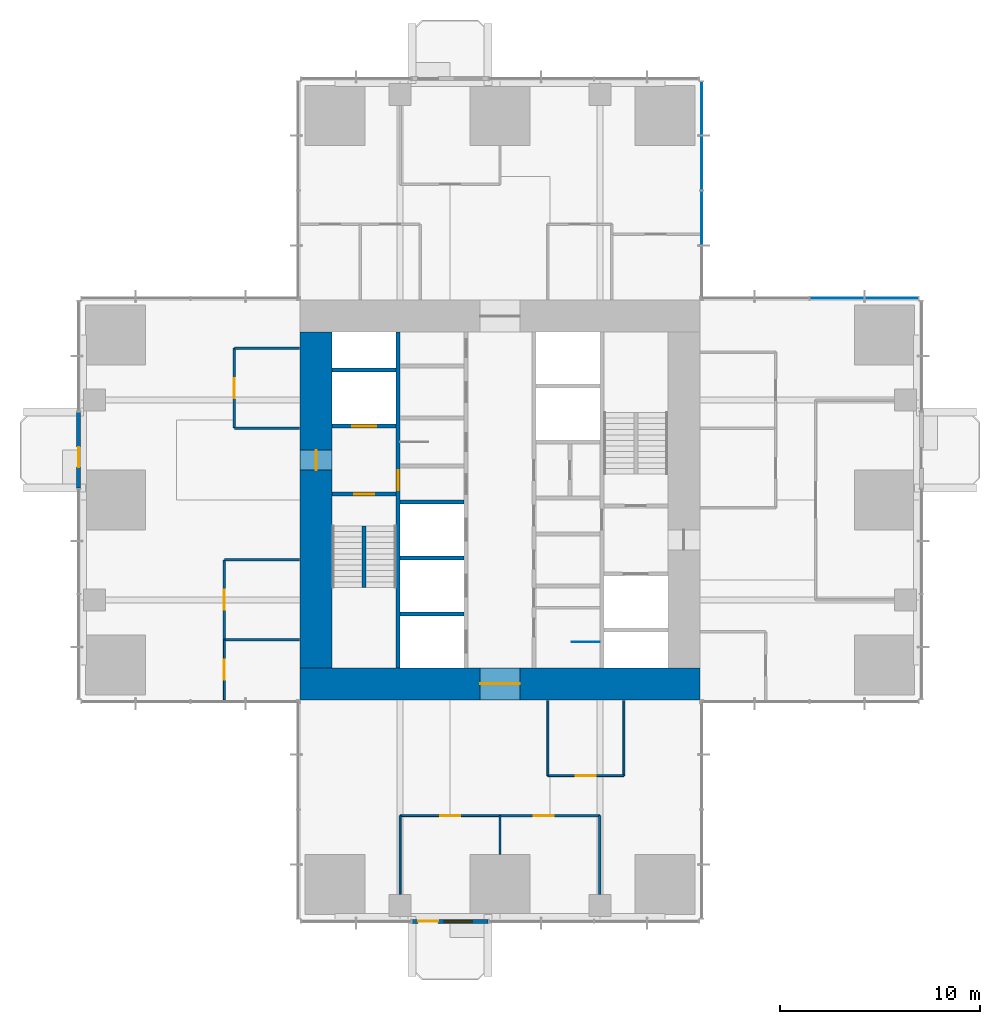
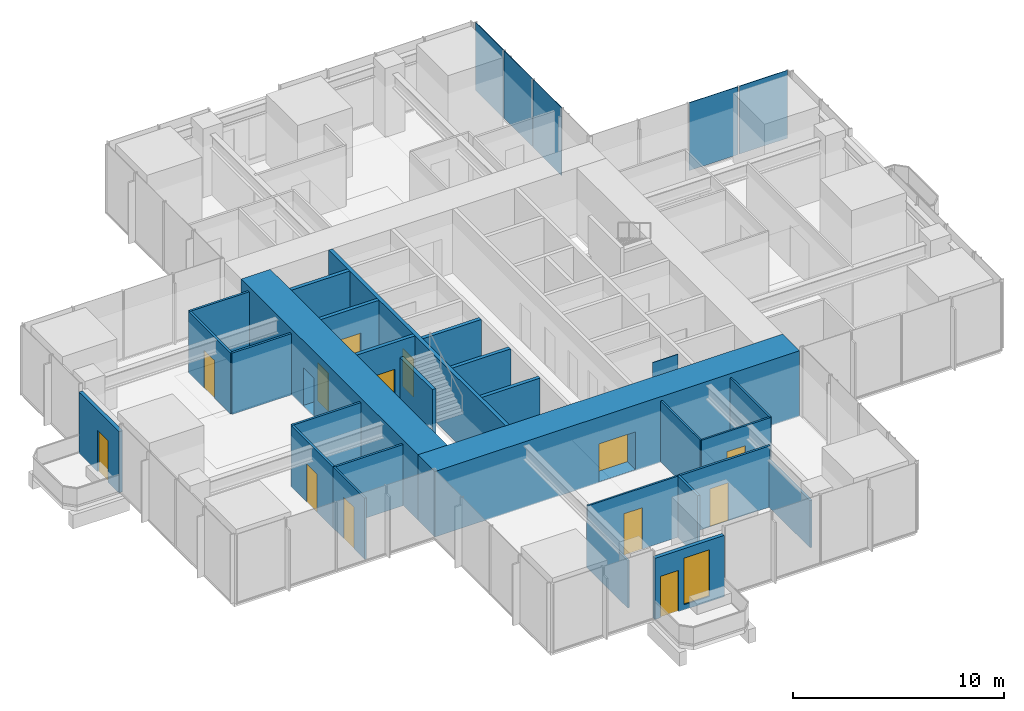
# One storey, part 8 of 13: 28 walls, 13 doors, 5 plates, 1 window, 14 openings, 2 elements without a shape of their own.
"""IFC4 building model written with IfcOpenShell, lengths in metres."""

from ifc_helpers import new_model, si_unit, direction, frame, frame_2d, origin, origin_2d, place, context, subcontext, project, spatial, rectangle, extrude, material, layer, layer_set, type_object, element, fill, aggregate, save


model = new_model("IFC4")

# Units and contexts
model_context = context("Model", 3, precision=1e-05, world=origin(), true_north=direction((0.0, 1.0)))
body_context = subcontext(model_context, "Body", "Model", "MODEL_VIEW")
ifc_project = project(units=[si_unit("LENGTHUNIT", "METRE"), si_unit("AREAUNIT", "SQUARE_METRE"), si_unit("VOLUMEUNIT", "CUBIC_METRE"), si_unit("PLANEANGLEUNIT", "RADIAN"), si_unit("MASSUNIT", "GRAM", prefix="KILO")], contexts=[model_context])

# Site, building, storey
site_placement = place(None, origin())
site = spatial("IfcSite", under=ifc_project, at=site_placement, CompositionType="ELEMENT")
building_placement = place(site_placement, origin())
building = spatial("IfcBuilding", under=site, at=building_placement, Name="Svetlomir Tower", CompositionType="ELEMENT")
storey_placement = place(building_placement, frame((0.0, 0.0, 156.5)))
storey = spatial("IfcBuildingStorey", under=building, at=storey_placement, Name="L37", CompositionType="ELEMENT", Elevation=156.5)

# Curtain wall, plates
ifc_material_1 = material(Name="Bronze anodised aluminium curtain wall", Category="aluminium")
curtain_wall_type = type_object("IfcCurtainWallType", Name="CURTAIN WALL CW1 TOWER OFFICE", PredefinedType="NOTDEFINED", material=ifc_material_1)
curtain_wall_1_placement = place(storey_placement, origin())
curtain_wall_1 = element("IfcCurtainWall", 1, at=curtain_wall_1_placement, inside=storey, type_object=curtain_wall_type, Name="Curtain wall CW1 L37", PredefinedType="NOTDEFINED")
ifc_material_2 = material(Name="Tinted double glazed unit", Category="glass")
ifc_layer_1 = layer(ifc_material_2, 0.031982421875)
ifc_layer_set_1 = layer_set([ifc_layer_1], Name="Tinted double glazed unit")
plate_type = type_object("IfcPlateType", Name="CW1 GLAZED PANEL 32", PredefinedType="CURTAIN_PANEL", material=ifc_layer_set_1)
plate_1_placement = place(storey_placement, frame((40.608642578125, 31.10009765625, 0.06494140625), z_axis=(0.0, 0.0, 1.0), x_axis=(-1.0, 0.0, 0.0)))
plate_1 = element("IfcPlate", 2, at=plate_1_placement, type_object=plate_type, Name="CW1 panel 1.1", PredefinedType="CURTAIN_PANEL", context=body_context, shape_type="SweptSolid", body=[
    extrude(rectangle(XDim=2.652587890625, YDim=0.031982421875, at=origin_2d()), origin(), (0.0, 0.0, 1.0), 3.93505859375),
])
plate_2_placement = place(storey_placement, frame((37.875, 31.10009765625, 0.06494140625), z_axis=(0.0, 0.0, 1.0), x_axis=(-1.0, 0.0, 0.0)))
plate_2 = element("IfcPlate", 3, at=plate_2_placement, type_object=plate_type, Name="CW1 panel 2.1", PredefinedType="CURTAIN_PANEL", context=body_context, shape_type="SweptSolid", body=[
    extrude(rectangle(XDim=2.68505859375, YDim=0.031982421875, at=origin_2d()), origin(), (0.0, 0.0, 1.0), 3.93505859375),
])
aggregate(curtain_wall_1, [plate_1, plate_2])

curtain_wall_2_placement = place(storey_placement, origin())
curtain_wall_2 = element("IfcCurtainWall", 4, at=curtain_wall_2_placement, inside=storey, type_object=curtain_wall_type, Name="Curtain wall CW1 L37", PredefinedType="NOTDEFINED")
plate_3_placement = place(storey_placement, frame((31.10009765625, 35.125, 0.06494140625), z_axis=(0.0, 0.0, 1.0), x_axis=(0.0, 1.0, 0.0)))
plate_3 = element("IfcPlate", 5, at=plate_3_placement, type_object=plate_type, Name="CW1 panel 2.1", PredefinedType="CURTAIN_PANEL", context=body_context, shape_type="SweptSolid", body=[
    extrude(rectangle(XDim=2.68505859375, YDim=0.031982421875, at=origin_2d()), origin(), (0.0, 0.0, 1.0), 3.93505859375),
])
plate_4_placement = place(storey_placement, frame((31.10009765625, 37.875, 0.06494140625), z_axis=(0.0, 0.0, 1.0), x_axis=(0.0, 1.0, 0.0)))
plate_4 = element("IfcPlate", 6, at=plate_4_placement, type_object=plate_type, Name="CW1 panel 3.1", PredefinedType="CURTAIN_PANEL", context=body_context, shape_type="SweptSolid", body=[
    extrude(rectangle(XDim=2.68505859375, YDim=0.031982421875, at=origin_2d()), origin(), (0.0, 0.0, 1.0), 3.93505859375),
])
plate_5_placement = place(storey_placement, frame((31.10009765625, 40.608642578125, 0.06494140625), z_axis=(0.0, 0.0, 1.0), x_axis=(0.0, 1.0, 0.0)))
plate_5 = element("IfcPlate", 7, at=plate_5_placement, type_object=plate_type, Name="CW1 panel 4.1", PredefinedType="CURTAIN_PANEL", context=body_context, shape_type="SweptSolid", body=[
    extrude(rectangle(XDim=2.652587890625, YDim=0.031982421875, at=origin_2d()), origin(), (0.0, 0.0, 1.0), 3.93505859375),
])
aggregate(curtain_wall_2, [plate_3, plate_4, plate_5])

# Wall, openings, door, window
ifc_material_3 = material(Name="Bronze anodised aluminium glazed screen", Category="aluminium")
ifc_layer_2 = layer(ifc_material_3, 0.199951171875)
ifc_layer_set_2 = layer_set([ifc_layer_2], Name="Bronze anodised aluminium glazed screen")
wall_type_1 = type_object("IfcWallType", Name="BALCONY SCREEN WALL 200", PredefinedType="USERDEFINED", material=ifc_layer_set_2)
wall_1_placement = place(storey_placement, frame((16.60009765625, -0.10009765625, 0.0), z_axis=(0.0, 0.0, 1.0), x_axis=(1.0, 0.0, 0.0)))
wall_1 = element("IfcWall", 8, at=wall_1_placement, inside=storey, type_object=wall_type_1, Name="Balcony screen S", ObjectType="GLAZED SCREEN", PredefinedType="USERDEFINED", context=body_context, shape_type="SweptSolid", body=[
    extrude(rectangle(XDim=3.7998046875, YDim=0.199951171875, at=frame_2d((1.89990234375, 0.0))), origin(), (0.0, 0.0, 1.0), 3.550048828125),
])
opening_1_placement = place(wall_1_placement, frame((0.300048828125, 0.0, 0.0)))
opening_1 = element("IfcOpeningElement", 9, at=opening_1_placement, cuts=wall_1, Name="Opening BD", PredefinedType="OPENING", context=body_context, shape_type="SweptSolid", body=[
    extrude(rectangle(XDim=1.0, YDim=2.39990234375, at=frame_2d((0.5, 1.199951171875))), frame((0.0, 0.10986328125, 0.0), z_axis=(0.0, -1.0, 0.0), x_axis=(1.0, 0.0, 0.0)), (0.0, 0.0, 1.0), 0.219970703125),
])
opening_2_placement = place(wall_1_placement, frame((1.60009765625, 0.0, 0.300048828125)))
opening_2 = element("IfcOpeningElement", 10, at=opening_2_placement, cuts=wall_1, Name="Opening WS2", PredefinedType="OPENING", context=body_context, shape_type="SweptSolid", body=[
    extrude(rectangle(XDim=1.39990234375, YDim=2.699951171875, at=frame_2d((0.699951171875, 1.35009765625))), frame((0.0, 0.10986328125, 0.0), z_axis=(0.0, -1.0, 0.0), x_axis=(1.0, 0.0, 0.0)), (0.0, 0.0, 1.0), 0.219970703125),
])
ifc_material_4 = material(Name="Bronze anodised aluminium glazed door", Category="aluminium")
door_type_1 = type_object("IfcDoorType", Name="BALCONY DOOR BD 1000x2400", OperationType="SINGLE_SWING_LEFT", PredefinedType="DOOR", material=ifc_material_4)
door_1_placement = place(opening_1_placement, origin())
door_1 = element("IfcDoor", 11, at=door_1_placement, inside=storey, type_object=door_type_1, Name="Balcony screen S door", OperationType="SINGLE_SWING_LEFT", OverallHeight=2.39990234375, OverallWidth=1.0, PredefinedType="DOOR", context=body_context, shape_type="SweptSolid", body=[
    extrude(rectangle(XDim=1.0, YDim=2.39990234375, at=frame_2d((0.5, 1.199951171875))), frame((0.0, 0.02490234375, 0.0), z_axis=(0.0, -1.0, 0.0), x_axis=(1.0, 0.0, 0.0)), (0.0, 0.0, 1.0), 0.050048828125),
])
fill(opening_1, door_1)
ifc_material_5 = material(Name="Bronze anodised aluminium window", Category="aluminium")
window_type = type_object("IfcWindowType", Name="SCREEN WINDOW WS2 1400x2700", PartitioningType="SINGLE_PANEL", PredefinedType="WINDOW", material=ifc_material_5)
window_placement = place(opening_2_placement, origin())
window = element("IfcWindow", 12, at=window_placement, inside=storey, type_object=window_type, Name="Balcony screen S window 1", OverallHeight=2.699951171875, OverallWidth=1.39990234375, PartitioningType="SINGLE_PANEL", PredefinedType="WINDOW", context=body_context, shape_type="SweptSolid", body=[
    extrude(rectangle(XDim=1.39990234375, YDim=2.699951171875, at=frame_2d((0.699951171875, 1.35009765625))), frame((0.0, 0.030029296875, 0.0), z_axis=(0.0, -1.0, 0.0), x_axis=(1.0, 0.0, 0.0)), (0.0, 0.0, 1.0), 0.06005859375),
])
fill(opening_2, window)

# Wall, opening, door
wall_2_placement = place(storey_placement, frame((-0.10009765625, 25.39990234375, 0.0), z_axis=(0.0, 0.0, 1.0), x_axis=(0.0, -1.0, 0.0)))
wall_2 = element("IfcWall", 13, at=wall_2_placement, inside=storey, type_object=wall_type_1, Name="Balcony screen W", ObjectType="GLAZED SCREEN", PredefinedType="USERDEFINED", context=body_context, shape_type="SweptSolid", body=[
    extrude(rectangle(XDim=3.7998046875, YDim=0.199951171875, at=frame_2d((1.89990234375, 0.0))), origin(), (0.0, 0.0, 1.0), 3.550048828125),
])
opening_3_placement = place(wall_2_placement, frame((1.75, 0.0, 0.0)))
opening_3 = element("IfcOpeningElement", 14, at=opening_3_placement, cuts=wall_2, Name="Opening BD", PredefinedType="OPENING", context=body_context, shape_type="SweptSolid", body=[
    extrude(rectangle(XDim=1.0, YDim=2.39990234375, at=frame_2d((0.5, 1.199951171875))), frame((0.0, 0.10986328125, 0.0), z_axis=(0.0, -1.0, 0.0), x_axis=(1.0, 0.0, 0.0)), (0.0, 0.0, 1.0), 0.219970703125),
])
door_2_placement = place(opening_3_placement, origin())
door_2 = element("IfcDoor", 15, at=door_2_placement, inside=storey, type_object=door_type_1, Name="Balcony screen W door", OperationType="SINGLE_SWING_LEFT", OverallHeight=2.39990234375, OverallWidth=1.0, PredefinedType="DOOR", context=body_context, shape_type="SweptSolid", body=[
    extrude(rectangle(XDim=1.0, YDim=2.39990234375, at=frame_2d((0.5, 1.199951171875))), frame((0.0, 0.02490234375, 0.0), z_axis=(0.0, -1.0, 0.0), x_axis=(1.0, 0.0, 0.0)), (0.0, 0.0, 1.0), 0.050048828125),
])
fill(opening_3, door_2)

ifc_material_6 = material(Name="Concrete C60/75", Category="concrete")
ifc_layer_3 = layer(ifc_material_6, 0.199951171875)
ifc_layer_set_3 = layer_set([ifc_layer_3], Name="Concrete C60/75")
wall_type_2 = type_object("IfcWallType", Name="CORE INNER WALL 200", PredefinedType="SHEAR", material=ifc_layer_set_3)
wall_3_placement = place(storey_placement, frame((15.89990234375, 12.60009765625, -0.050048828125), z_axis=(0.0, 0.0, 1.0), x_axis=(0.0, 1.0, 0.0)))
wall_3 = element("IfcWall", 16, at=wall_3_placement, inside=storey, type_object=wall_type_2, Name="Core inner wall 15.9 L37", PredefinedType="SHEAR", context=body_context, shape_type="SweptSolid", body=[
    extrude(rectangle(XDim=16.7998046875, YDim=0.199951171875, at=frame_2d((8.39990234375, 0.0))), origin(), (0.0, 0.0, 1.0), 3.800048828125),
])
opening_4_placement = place(wall_3_placement, frame((8.89990234375, 0.0, 0.050048828125)))
opening_4 = element("IfcOpeningElement", 17, at=opening_4_placement, cuts=wall_3, Name="Opening DF", PredefinedType="OPENING", context=body_context, shape_type="SweptSolid", body=[
    extrude(rectangle(XDim=1.0, YDim=2.199951171875, at=frame_2d((0.5, 1.10009765625))), frame((0.0, 0.10986328125, 0.0), z_axis=(0.0, -1.0, 0.0), x_axis=(1.0, 0.0, 0.0)), (0.0, 0.0, 1.0), 0.219970703125),
])
ifc_material_7 = material(Name="Steel fire door", Category="steel")
door_type_2 = type_object("IfcDoorType", Name="DOOR DF 1000x2200", OperationType="SINGLE_SWING_LEFT", PredefinedType="DOOR", material=ifc_material_7)
door_3_placement = place(opening_4_placement, origin())
door_3 = element("IfcDoor", 18, at=door_3_placement, inside=storey, type_object=door_type_2, Name="Core corridor west door L37", OperationType="SINGLE_SWING_LEFT", OverallHeight=2.199951171875, OverallWidth=1.0, PredefinedType="DOOR", context=body_context, shape_type="SweptSolid", body=[
    extrude(rectangle(XDim=1.0, YDim=2.199951171875, at=frame_2d((0.5, 1.10009765625))), frame((0.0, 0.02490234375, 0.0), z_axis=(0.0, -1.0, 0.0), x_axis=(1.0, 0.0, 0.0)), (0.0, 0.0, 1.0), 0.050048828125),
])
fill(opening_4, door_3)

wall_4_placement = place(storey_placement, frame((12.60009765625, 21.300048828125, -0.050048828125), z_axis=(0.0, 0.0, 1.0), x_axis=(1.0, 0.0, 0.0)))
wall_4 = element("IfcWall", 19, at=wall_4_placement, inside=storey, type_object=wall_type_2, Name="Core inner wall 12.6-15.8/21.3 L37", PredefinedType="SHEAR", context=body_context, shape_type="SweptSolid", body=[
    extrude(rectangle(XDim=3.199951171875, YDim=0.199951171875, at=frame_2d((1.60009765625, 0.0))), origin(), (0.0, 0.0, 1.0), 3.800048828125),
])
opening_5_placement = place(wall_4_placement, frame((1.10009765625, 0.0, 0.050048828125)))
opening_5 = element("IfcOpeningElement", 20, at=opening_5_placement, cuts=wall_4, Name="Opening DF", PredefinedType="OPENING", context=body_context, shape_type="SweptSolid", body=[
    extrude(rectangle(XDim=1.0, YDim=2.199951171875, at=frame_2d((0.5, 1.10009765625))), frame((0.0, 0.10986328125, 0.0), z_axis=(0.0, -1.0, 0.0), x_axis=(1.0, 0.0, 0.0)), (0.0, 0.0, 1.0), 0.219970703125),
])
door_4_placement = place(opening_5_placement, origin())
door_4 = element("IfcDoor", 21, at=door_4_placement, inside=storey, type_object=door_type_2, Name="Stair S1 door L37", OperationType="SINGLE_SWING_RIGHT", OverallHeight=2.199951171875, OverallWidth=1.0, PredefinedType="DOOR", context=body_context, shape_type="SweptSolid", body=[
    extrude(rectangle(XDim=1.0, YDim=2.199951171875, at=frame_2d((0.5, 1.10009765625))), frame((0.0, 0.02490234375, 0.0), z_axis=(0.0, -1.0, 0.0), x_axis=(1.0, 0.0, 0.0)), (0.0, 0.0, 1.0), 0.050048828125),
])
fill(opening_5, door_4)

wall_5_placement = place(storey_placement, frame((12.60009765625, 24.699951171875, -0.050048828125), z_axis=(0.0, 0.0, 1.0), x_axis=(1.0, 0.0, 0.0)))
wall_5 = element("IfcWall", 22, at=wall_5_placement, inside=storey, type_object=wall_type_2, Name="Core inner wall 12.6-15.8/24.7 L37", PredefinedType="SHEAR", context=body_context, shape_type="SweptSolid", body=[
    extrude(rectangle(XDim=3.199951171875, YDim=0.199951171875, at=frame_2d((1.60009765625, 0.0))), origin(), (0.0, 0.0, 1.0), 3.800048828125),
])
opening_6_placement = place(wall_5_placement, frame((1.0, 0.0, 0.050048828125)))
opening_6 = element("IfcOpeningElement", 23, at=opening_6_placement, cuts=wall_5, Name="Opening LD3", PredefinedType="OPENING", context=body_context, shape_type="SweptSolid", body=[
    extrude(rectangle(XDim=1.199951171875, YDim=2.199951171875, at=frame_2d((0.60009765625, 1.10009765625))), frame((0.0, 0.10986328125, 0.0), z_axis=(0.0, -1.0, 0.0), x_axis=(1.0, 0.0, 0.0)), (0.0, 0.0, 1.0), 0.219970703125),
])
ifc_material_8 = material(Name="Stainless steel fire-rated landing door", Category="steel")
door_type_3 = type_object("IfcDoorType", Name="FIREFIGHTING LIFT LANDING DOOR LD3 1200x2200", OperationType="DOUBLE_DOOR_SLIDING", PredefinedType="DOOR", material=ifc_material_8)
door_5_placement = place(opening_6_placement, origin())
door_5 = element("IfcDoor", 24, at=door_5_placement, inside=storey, type_object=door_type_3, Name="Landing door lift FL1 L37", OperationType="DOUBLE_DOOR_SLIDING", OverallHeight=2.199951171875, OverallWidth=1.199951171875, PredefinedType="DOOR", context=body_context, shape_type="SweptSolid", body=[
    extrude(rectangle(XDim=1.199951171875, YDim=2.199951171875, at=frame_2d((0.60009765625, 1.10009765625))), frame((0.0, 0.02490234375, 0.0), z_axis=(0.0, -1.0, 0.0), x_axis=(1.0, 0.0, 0.0)), (0.0, 0.0, 1.0), 0.050048828125),
])
fill(opening_6, door_5)

# Walls
for number, where, z_axis, x_axis, name in (
    (25, (12.60009765625, 27.5, -0.050048828125), (0.0, 0.0, 1.0), (1.0, 0.0, 0.0), "Core inner wall 12.6-15.8/27.5 L37"),
    (26, (16.0, 15.300048828125, -0.050048828125), (0.0, 0.0, 1.0), (1.0, 0.0, 0.0), "Core inner wall 16-19.2/15.3 L37"),
    (27, (16.0, 18.10009765625, -0.050048828125), (0.0, 0.0, 1.0), (1.0, 0.0, 0.0), "Core inner wall 16-19.2/18.1 L37"),
    (28, (16.0, 20.89990234375, -0.050048828125), (0.0, 0.0, 1.0), (1.0, 0.0, 0.0), "Core inner wall 16-19.2/20.9 L37"),
):
    element("IfcWall", number, at=place(storey_placement, frame(where, z_axis=z_axis, x_axis=x_axis)), inside=storey, type_object=wall_type_2, Name=name, PredefinedType="SHEAR", context=body_context, shape_type="SweptSolid", body=[
        extrude(rectangle(XDim=3.199951171875, YDim=0.199951171875, at=frame_2d((1.60009765625, 0.0))), origin(), (0.0, 0.0, 1.0), 3.800048828125),
    ])

# Wall, opening, door
ifc_material_9 = material(Name="Concrete C60/75", Category="concrete")
ifc_layer_4 = layer(ifc_material_9, 1.60009765625)
ifc_layer_set_4 = layer_set([ifc_layer_4], Name="Concrete C60/75")
wall_type_3 = type_object("IfcWallType", Name="CORE WALL 1600", PredefinedType="SHEAR", material=ifc_layer_set_4)
wall_6_placement = place(storey_placement, frame((11.0, 11.800048828125, -0.050048828125), z_axis=(0.0, 0.0, 1.0), x_axis=(1.0, 0.0, 0.0)))
wall_6 = element("IfcWall", 29, at=wall_6_placement, inside=storey, type_object=wall_type_3, Name="Core wall south L37", PredefinedType="SHEAR", context=body_context, shape_type="SweptSolid", body=[
    extrude(rectangle(XDim=20.0, YDim=1.60009765625, at=frame_2d((10.0, 0.0))), origin(), (0.0, 0.0, 1.0), 3.800048828125),
])
opening_7_placement = place(wall_6_placement, frame((9.0, 0.0, 0.050048828125)))
opening_7 = element("IfcOpeningElement", 30, at=opening_7_placement, cuts=wall_6, Name="Opening DL", PredefinedType="OPENING", context=body_context, shape_type="SweptSolid", body=[
    extrude(rectangle(XDim=2.0, YDim=2.199951171875, at=frame_2d((1.0, 1.10009765625))), frame((0.0, 0.81005859375, 0.0), z_axis=(0.0, -1.0, 0.0), x_axis=(1.0, 0.0, 0.0)), (0.0, 0.0, 1.0), 1.6201171875),
])
ifc_material_10 = material(Name="Steel fire door", Category="steel")
door_type_4 = type_object("IfcDoorType", Name="DOOR DL 2000x2200", OperationType="DOUBLE_DOOR_SINGLE_SWING", PredefinedType="DOOR", material=ifc_material_10)
door_6_placement = place(opening_7_placement, origin())
door_6 = element("IfcDoor", 31, at=door_6_placement, inside=storey, type_object=door_type_4, Name="Lift lobby south door L37", OperationType="DOUBLE_DOOR_SINGLE_SWING", OverallHeight=2.199951171875, OverallWidth=2.0, PredefinedType="DOOR", context=body_context, shape_type="SweptSolid", body=[
    extrude(rectangle(XDim=2.0, YDim=2.199951171875, at=frame_2d((1.0, 1.10009765625))), frame((0.0, 0.02490234375, 0.0), z_axis=(0.0, -1.0, 0.0), x_axis=(1.0, 0.0, 0.0)), (0.0, 0.0, 1.0), 0.050048828125),
])
fill(opening_7, door_6)

wall_7_placement = place(storey_placement, frame((11.800048828125, 12.60009765625, -0.050048828125), z_axis=(0.0, 0.0, 1.0), x_axis=(0.0, 1.0, 0.0)))
wall_7 = element("IfcWall", 32, at=wall_7_placement, inside=storey, type_object=wall_type_3, Name="Core wall west L37", PredefinedType="SHEAR", context=body_context, shape_type="SweptSolid", body=[
    extrude(rectangle(XDim=16.7998046875, YDim=1.60009765625, at=frame_2d((8.39990234375, 0.0))), origin(), (0.0, 0.0, 1.0), 3.800048828125),
])
opening_8_placement = place(wall_7_placement, frame((9.89990234375, 0.0, 0.050048828125)))
opening_8 = element("IfcOpeningElement", 33, at=opening_8_placement, cuts=wall_7, Name="Opening DF", PredefinedType="OPENING", context=body_context, shape_type="SweptSolid", body=[
    extrude(rectangle(XDim=1.0, YDim=2.199951171875, at=frame_2d((0.5, 1.10009765625))), frame((0.0, 0.81005859375, 0.0), z_axis=(0.0, -1.0, 0.0), x_axis=(1.0, 0.0, 0.0)), (0.0, 0.0, 1.0), 1.6201171875),
])
door_7_placement = place(opening_8_placement, origin())
door_7 = element("IfcDoor", 34, at=door_7_placement, inside=storey, type_object=door_type_2, Name="Firefighting lobby west door L37", OperationType="SINGLE_SWING_RIGHT", OverallHeight=2.199951171875, OverallWidth=1.0, PredefinedType="DOOR", context=body_context, shape_type="SweptSolid", body=[
    extrude(rectangle(XDim=1.0, YDim=2.199951171875, at=frame_2d((0.5, 1.10009765625))), frame((0.0, 0.02490234375, 0.0), z_axis=(0.0, -1.0, 0.0), x_axis=(1.0, 0.0, 0.0)), (0.0, 0.0, 1.0), 0.050048828125),
])
fill(opening_8, door_7)

ifc_material_11 = material(Name="Framed laminated glass partition", Category="glass")
ifc_layer_5 = layer(ifc_material_11, 0.10009765625)
ifc_layer_set_5 = layer_set([ifc_layer_5], Name="Framed laminated glass partition")
wall_type_4 = type_object("IfcWallType", Name="GLAZED PARTITION 100", PredefinedType="PARTITIONING", material=ifc_layer_set_5)
wall_8_placement = place(storey_placement, frame((7.199951171875, 11.0, 0.0), z_axis=(0.0, 0.0, 1.0), x_axis=(0.0, 1.0, 0.0)))
wall_8 = element("IfcWall", 35, at=wall_8_placement, inside=storey, type_object=wall_type_4, Name="Glazed partition L37", PredefinedType="PARTITIONING", context=body_context, shape_type="SweptSolid", body=[
    extrude(rectangle(XDim=3.0, YDim=0.10009765625, at=frame_2d((1.5, 0.0))), origin(), (0.0, 0.0, 1.0), 3.550048828125),
])
opening_9_placement = place(wall_8_placement, frame((1.0, 0.0, 0.0)))
opening_9 = element("IfcOpeningElement", 36, at=opening_9_placement, cuts=wall_8, Name="Opening DG", PredefinedType="OPENING", context=body_context, shape_type="SweptSolid", body=[
    extrude(rectangle(XDim=1.0, YDim=2.39990234375, at=frame_2d((0.5, 1.199951171875))), frame((0.0, 0.06005859375, 0.0), z_axis=(0.0, -1.0, 0.0), x_axis=(1.0, 0.0, 0.0)), (0.0, 0.0, 1.0), 0.1201171875),
])
ifc_material_12 = material(Name="Framed laminated glass door", Category="glass")
door_type_5 = type_object("IfcDoorType", Name="GLAZED DOOR DG 1000x2400", OperationType="SINGLE_SWING_LEFT", PredefinedType="DOOR", material=ifc_material_12)
door_8_placement = place(opening_9_placement, origin())
door_8 = element("IfcDoor", 37, at=door_8_placement, inside=storey, type_object=door_type_5, Name="Meeting room, 4 seats door L37", OperationType="SINGLE_SWING_RIGHT", OverallHeight=2.39990234375, OverallWidth=1.0, PredefinedType="DOOR", context=body_context, shape_type="SweptSolid", body=[
    extrude(rectangle(XDim=1.0, YDim=2.39990234375, at=frame_2d((0.5, 1.199951171875))), frame((0.0, 0.02490234375, 0.0), z_axis=(0.0, -1.0, 0.0), x_axis=(1.0, 0.0, 0.0)), (0.0, 0.0, 1.0), 0.050048828125),
])
fill(opening_9, door_8)

# Wall
wall_9_placement = place(storey_placement, frame((16.0, 1.260009765625, 0.0), z_axis=(0.0, 0.0, 1.0), x_axis=(0.0, 1.0, 0.0)))
element("IfcWall", 38, at=wall_9_placement, inside=storey, type_object=wall_type_4, Name="Glazed partition L37", PredefinedType="PARTITIONING", context=body_context, shape_type="SweptSolid", body=[
    extrude(rectangle(XDim=3.93994140625, YDim=0.10009765625, at=frame_2d((1.969970703125, 0.0))), origin(), (0.0, 0.0, 1.0), 2.736083984375),
])

# Wall, opening, door
wall_10_placement = place(storey_placement, frame((16.0, 5.199951171875, 0.0), z_axis=(0.0, 0.0, 1.0), x_axis=(1.0, 0.0, 0.0)))
wall_10 = element("IfcWall", 39, at=wall_10_placement, inside=storey, type_object=wall_type_4, Name="Glazed partition L37", PredefinedType="PARTITIONING", context=body_context, shape_type="SweptSolid", body=[
    extrude(rectangle(XDim=5.0, YDim=0.10009765625, at=frame_2d((2.5, 0.0))), origin(), (0.0, 0.0, 1.0), 3.550048828125),
])
opening_10_placement = place(wall_10_placement, frame((2.0, 0.0, 0.0)))
opening_10 = element("IfcOpeningElement", 40, at=opening_10_placement, cuts=wall_10, Name="Opening DG", PredefinedType="OPENING", context=body_context, shape_type="SweptSolid", body=[
    extrude(rectangle(XDim=1.0, YDim=2.39990234375, at=frame_2d((0.5, 1.199951171875))), frame((0.0, 0.06005859375, 0.0), z_axis=(0.0, -1.0, 0.0), x_axis=(1.0, 0.0, 0.0)), (0.0, 0.0, 1.0), 0.1201171875),
])
door_9_placement = place(opening_10_placement, origin())
door_9 = element("IfcDoor", 41, at=door_9_placement, inside=storey, type_object=door_type_5, Name="Break-out and kitchenette door L37", OperationType="SINGLE_SWING_RIGHT", OverallHeight=2.39990234375, OverallWidth=1.0, PredefinedType="DOOR", context=body_context, shape_type="SweptSolid", body=[
    extrude(rectangle(XDim=1.0, YDim=2.39990234375, at=frame_2d((0.5, 1.199951171875))), frame((0.0, 0.02490234375, 0.0), z_axis=(0.0, -1.0, 0.0), x_axis=(1.0, 0.0, 0.0)), (0.0, 0.0, 1.0), 0.050048828125),
])
fill(opening_10, door_9)

# Wall
wall_11_placement = place(storey_placement, frame((23.39990234375, 7.199951171875, 0.0), z_axis=(0.0, 0.0, 1.0), x_axis=(0.0, 1.0, 0.0)))
element("IfcWall", 42, at=wall_11_placement, inside=storey, type_object=wall_type_4, Name="Glazed partition L37", PredefinedType="PARTITIONING", context=body_context, shape_type="SweptSolid", body=[
    extrude(rectangle(XDim=3.75, YDim=0.10009765625, at=frame_2d((1.875, 0.0))), origin(), (0.0, 0.0, 1.0), 3.550048828125),
])

# Wall, opening, door
wall_12_placement = place(storey_placement, frame((23.39990234375, 7.199951171875, 0.0), z_axis=(0.0, 0.0, 1.0), x_axis=(1.0, 0.0, 0.0)))
wall_12 = element("IfcWall", 43, at=wall_12_placement, inside=storey, type_object=wall_type_4, Name="Glazed partition L37", PredefinedType="PARTITIONING", context=body_context, shape_type="SweptSolid", body=[
    extrude(rectangle(XDim=3.800048828125, YDim=0.10009765625, at=frame_2d((1.89990234375, 0.0))), origin(), (0.0, 0.0, 1.0), 3.550048828125),
])
opening_11_placement = place(wall_12_placement, frame((1.39990234375, 0.0, 0.0)))
opening_11 = element("IfcOpeningElement", 44, at=opening_11_placement, cuts=wall_12, Name="Opening DG", PredefinedType="OPENING", context=body_context, shape_type="SweptSolid", body=[
    extrude(rectangle(XDim=1.0, YDim=2.39990234375, at=frame_2d((0.5, 1.199951171875))), frame((0.0, 0.06005859375, 0.0), z_axis=(0.0, -1.0, 0.0), x_axis=(1.0, 0.0, 0.0)), (0.0, 0.0, 1.0), 0.1201171875),
])
door_10_placement = place(opening_11_placement, origin())
door_10 = element("IfcDoor", 45, at=door_10_placement, inside=storey, type_object=door_type_5, Name="Meeting room, 6 seats door L37", OperationType="SINGLE_SWING_LEFT", OverallHeight=2.39990234375, OverallWidth=1.0, PredefinedType="DOOR", context=body_context, shape_type="SweptSolid", body=[
    extrude(rectangle(XDim=1.0, YDim=2.39990234375, at=frame_2d((0.5, 1.199951171875))), frame((0.0, 0.02490234375, 0.0), z_axis=(0.0, -1.0, 0.0), x_axis=(1.0, 0.0, 0.0)), (0.0, 0.0, 1.0), 0.050048828125),
])
fill(opening_11, door_10)

# Wall
wall_13_placement = place(storey_placement, frame((27.199951171875, 7.199951171875, 0.0), z_axis=(0.0, 0.0, 1.0), x_axis=(0.0, 1.0, 0.0)))
element("IfcWall", 46, at=wall_13_placement, inside=storey, type_object=wall_type_4, Name="Glazed partition L37", PredefinedType="PARTITIONING", context=body_context, shape_type="SweptSolid", body=[
    extrude(rectangle(XDim=3.75, YDim=0.10009765625, at=frame_2d((1.875, 0.0))), origin(), (0.0, 0.0, 1.0), 3.550048828125),
])

# Wall, opening, door
ifc_material_13 = material(Name="Gypsum board on steel studs", Category="steel")
ifc_layer_6 = layer(ifc_material_13, 0.1201171875)
ifc_layer_set_6 = layer_set([ifc_layer_6], Name="Gypsum board on steel studs")
wall_type_5 = type_object("IfcWallType", Name="PARTITION 120", PredefinedType="PARTITIONING", material=ifc_layer_set_6)
wall_14_placement = place(storey_placement, frame((7.199951171875, 14.0, 0.0), z_axis=(0.0, 0.0, 1.0), x_axis=(0.0, 1.0, 0.0)))
wall_14 = element("IfcWall", 47, at=wall_14_placement, inside=storey, type_object=wall_type_5, Name="Partition L37", PredefinedType="PARTITIONING", context=body_context, shape_type="SweptSolid", body=[
    extrude(rectangle(XDim=4.0, YDim=0.1201171875, at=frame_2d((2.0, 0.0))), origin(), (0.0, 0.0, 1.0), 3.550048828125),
])
opening_12_placement = place(wall_14_placement, frame((1.5, 0.0, 0.0)))
opening_12 = element("IfcOpeningElement", 48, at=opening_12_placement, cuts=wall_14, Name="Opening DR", PredefinedType="OPENING", context=body_context, shape_type="SweptSolid", body=[
    extrude(rectangle(XDim=1.0, YDim=2.199951171875, at=frame_2d((0.5, 1.10009765625))), frame((0.0, 0.070068359375, 0.0), z_axis=(0.0, -1.0, 0.0), x_axis=(1.0, 0.0, 0.0)), (0.0, 0.0, 1.0), 0.14013671875),
])
ifc_material_14 = material(Name="Timber door, glazed side light", Category="wood")
door_type_6 = type_object("IfcDoorType", Name="DOOR DR 1000x2200", OperationType="SINGLE_SWING_LEFT", PredefinedType="DOOR", material=ifc_material_14)
door_11_placement = place(opening_12_placement, origin())
door_11 = element("IfcDoor", 49, at=door_11_placement, inside=storey, type_object=door_type_6, Name="Podcast booth door L37", OperationType="SINGLE_SWING_RIGHT", OverallHeight=2.199951171875, OverallWidth=1.0, PredefinedType="DOOR", context=body_context, shape_type="SweptSolid", body=[
    extrude(rectangle(XDim=1.0, YDim=2.199951171875, at=frame_2d((0.5, 1.10009765625))), frame((0.0, 0.02490234375, 0.0), z_axis=(0.0, -1.0, 0.0), x_axis=(1.0, 0.0, 0.0)), (0.0, 0.0, 1.0), 0.050048828125),
])
fill(opening_12, door_11)

# Walls
for number, where, z_axis, x_axis, name in (
    (50, (7.199951171875, 14.0, 0.0), (0.0, 0.0, 1.0), (1.0, 0.0, 0.0), "Partition L37"),
    (51, (7.199951171875, 18.0, 0.0), (0.0, 0.0, 1.0), (1.0, 0.0, 0.0), "Partition L37"),
):
    element("IfcWall", number, at=place(storey_placement, frame(where, z_axis=z_axis, x_axis=x_axis)), inside=storey, type_object=wall_type_5, Name=name, PredefinedType="PARTITIONING", context=body_context, shape_type="SweptSolid", body=[
        extrude(rectangle(XDim=3.75, YDim=0.1201171875, at=frame_2d((1.875, 0.0))), origin(), (0.0, 0.0, 1.0), 3.550048828125),
    ])

# Wall, opening, door
wall_15_placement = place(storey_placement, frame((7.699951171875, 24.60009765625, 0.0), z_axis=(0.0, 0.0, 1.0), x_axis=(0.0, 1.0, 0.0)))
wall_15 = element("IfcWall", 52, at=wall_15_placement, inside=storey, type_object=wall_type_5, Name="Partition L37", PredefinedType="PARTITIONING", context=body_context, shape_type="SweptSolid", body=[
    extrude(rectangle(XDim=4.0, YDim=0.1201171875, at=frame_2d((2.0, 0.0))), origin(), (0.0, 0.0, 1.0), 3.550048828125),
])
opening_13_placement = place(wall_15_placement, frame((1.5, 0.0, 0.0)))
opening_13 = element("IfcOpeningElement", 53, at=opening_13_placement, cuts=wall_15, Name="Opening DR", PredefinedType="OPENING", context=body_context, shape_type="SweptSolid", body=[
    extrude(rectangle(XDim=1.0, YDim=2.199951171875, at=frame_2d((0.5, 1.10009765625))), frame((0.0, 0.070068359375, 0.0), z_axis=(0.0, -1.0, 0.0), x_axis=(1.0, 0.0, 0.0)), (0.0, 0.0, 1.0), 0.14013671875),
])
door_12_placement = place(opening_13_placement, origin())
door_12 = element("IfcDoor", 54, at=door_12_placement, inside=storey, type_object=door_type_6, Name="Equipment store door L37", OperationType="SINGLE_SWING_LEFT", OverallHeight=2.199951171875, OverallWidth=1.0, PredefinedType="DOOR", context=body_context, shape_type="SweptSolid", body=[
    extrude(rectangle(XDim=1.0, YDim=2.199951171875, at=frame_2d((0.5, 1.10009765625))), frame((0.0, 0.02490234375, 0.0), z_axis=(0.0, -1.0, 0.0), x_axis=(1.0, 0.0, 0.0)), (0.0, 0.0, 1.0), 0.050048828125),
])
fill(opening_13, door_12)

# Walls
for number, where, z_axis, x_axis, name in (
    (55, (7.699951171875, 24.60009765625, 0.0), (0.0, 0.0, 1.0), (1.0, 0.0, 0.0), "Partition L37"),
    (56, (7.699951171875, 28.60009765625, 0.0), (0.0, 0.0, 1.0), (1.0, 0.0, 0.0), "Partition L37"),
):
    element("IfcWall", number, at=place(storey_placement, frame(where, z_axis=z_axis, x_axis=x_axis)), inside=storey, type_object=wall_type_5, Name=name, PredefinedType="PARTITIONING", context=body_context, shape_type="SweptSolid", body=[
        extrude(rectangle(XDim=3.25, YDim=0.1201171875, at=frame_2d((1.625, 0.0))), origin(), (0.0, 0.0, 1.0), 3.550048828125),
    ])
wall_16_placement = place(storey_placement, frame((21.0, 3.260009765625, 0.0), z_axis=(0.0, 0.0, 1.0), x_axis=(0.0, 1.0, 0.0)))
element("IfcWall", 57, at=wall_16_placement, inside=storey, type_object=wall_type_5, Name="Partition L37", PredefinedType="PARTITIONING", context=body_context, shape_type="SweptSolid", body=[
    extrude(rectangle(XDim=1.93994140625, YDim=0.1201171875, at=frame_2d((0.969970703125, 0.0))), origin(), (0.0, 0.0, 1.0), 3.550048828125),
])

# Wall, opening, door
wall_17_placement = place(storey_placement, frame((21.0, 5.199951171875, 0.0), z_axis=(0.0, 0.0, 1.0), x_axis=(1.0, 0.0, 0.0)))
wall_17 = element("IfcWall", 58, at=wall_17_placement, inside=storey, type_object=wall_type_5, Name="Partition L37", PredefinedType="PARTITIONING", context=body_context, shape_type="SweptSolid", body=[
    extrude(rectangle(XDim=5.0, YDim=0.1201171875, at=frame_2d((2.5, 0.0))), origin(), (0.0, 0.0, 1.0), 3.550048828125),
])
opening_14_placement = place(wall_17_placement, frame((1.699951171875, 0.0, 0.0)))
opening_14 = element("IfcOpeningElement", 59, at=opening_14_placement, cuts=wall_17, Name="Opening DR", PredefinedType="OPENING", context=body_context, shape_type="SweptSolid", body=[
    extrude(rectangle(XDim=1.0, YDim=2.199951171875, at=frame_2d((0.5, 1.10009765625))), frame((0.0, 0.070068359375, 0.0), z_axis=(0.0, -1.0, 0.0), x_axis=(1.0, 0.0, 0.0)), (0.0, 0.0, 1.0), 0.14013671875),
])
door_13_placement = place(opening_14_placement, origin())
door_13 = element("IfcDoor", 60, at=door_13_placement, inside=storey, type_object=door_type_6, Name="Head of communications office door L37", OperationType="SINGLE_SWING_RIGHT", OverallHeight=2.199951171875, OverallWidth=1.0, PredefinedType="DOOR", context=body_context, shape_type="SweptSolid", body=[
    extrude(rectangle(XDim=1.0, YDim=2.199951171875, at=frame_2d((0.5, 1.10009765625))), frame((0.0, 0.02490234375, 0.0), z_axis=(0.0, -1.0, 0.0), x_axis=(1.0, 0.0, 0.0)), (0.0, 0.0, 1.0), 0.050048828125),
])
fill(opening_14, door_13)

# Walls
wall_18_placement = place(storey_placement, frame((26.0, 1.260009765625, 0.0), z_axis=(0.0, 0.0, 1.0), x_axis=(0.0, 1.0, 0.0)))
element("IfcWall", 61, at=wall_18_placement, inside=storey, type_object=wall_type_5, Name="Partition L37", PredefinedType="PARTITIONING", context=body_context, shape_type="SweptSolid", body=[
    extrude(rectangle(XDim=3.93994140625, YDim=0.1201171875, at=frame_2d((1.969970703125, 0.0))), origin(), (0.0, 0.0, 1.0), 2.736083984375),
])
ifc_material_15 = material(Name="Concrete C60/75", Category="concrete")
ifc_layer_7 = layer(ifc_material_15, 0.199951171875)
ifc_layer_set_7 = layer_set([ifc_layer_7], Name="Concrete C60/75")
wall_type_6 = type_object("IfcWallType", Name="STAIR SPINE WALL 200", PredefinedType="PARTITIONING", material=ifc_layer_set_7)
wall_19_placement = place(storey_placement, frame((14.199951171875, 16.6201171875, 0.0), z_axis=(0.0, 0.0, 1.0), x_axis=(0.0, 1.0, 0.0)))
element("IfcWall", 62, at=wall_19_placement, inside=storey, type_object=wall_type_6, Name="Stair S1 spine wall L37", PredefinedType="PARTITIONING", context=body_context, shape_type="SweptSolid", body=[
    extrude(rectangle(XDim=3.079833984375, YDim=0.199951171875, at=frame_2d((1.5400390625, 0.0))), origin(), (0.0, 0.0, 1.0), 4.0),
])
ifc_material_16 = material(Name="Compact laminate panel", Category="plastic")
ifc_layer_8 = layer(ifc_material_16, 0.030029296875)
ifc_layer_set_8 = layer_set([ifc_layer_8], Name="Compact laminate panel")
wall_type_7 = type_object("IfcWallType", Name="WC CUBICLE PARTITION 30", PredefinedType="PARTITIONING", material=ifc_layer_set_8)
wall_20_placement = place(storey_placement, frame((24.60009765625, 13.89990234375, 0.0), z_axis=(0.0, 0.0, 1.0), x_axis=(1.0, 0.0, 0.0)))
element("IfcWall", 63, at=wall_20_placement, inside=storey, type_object=wall_type_7, Name="WC cubicle partition L37", PredefinedType="PARTITIONING", context=body_context, shape_type="SweptSolid", body=[
    extrude(rectangle(XDim=1.39990234375, YDim=0.030029296875, at=frame_2d((0.699951171875, 0.0))), origin(), (0.0, 0.0, 1.0), 3.550048828125),
])

save(model, "model.ifc")
